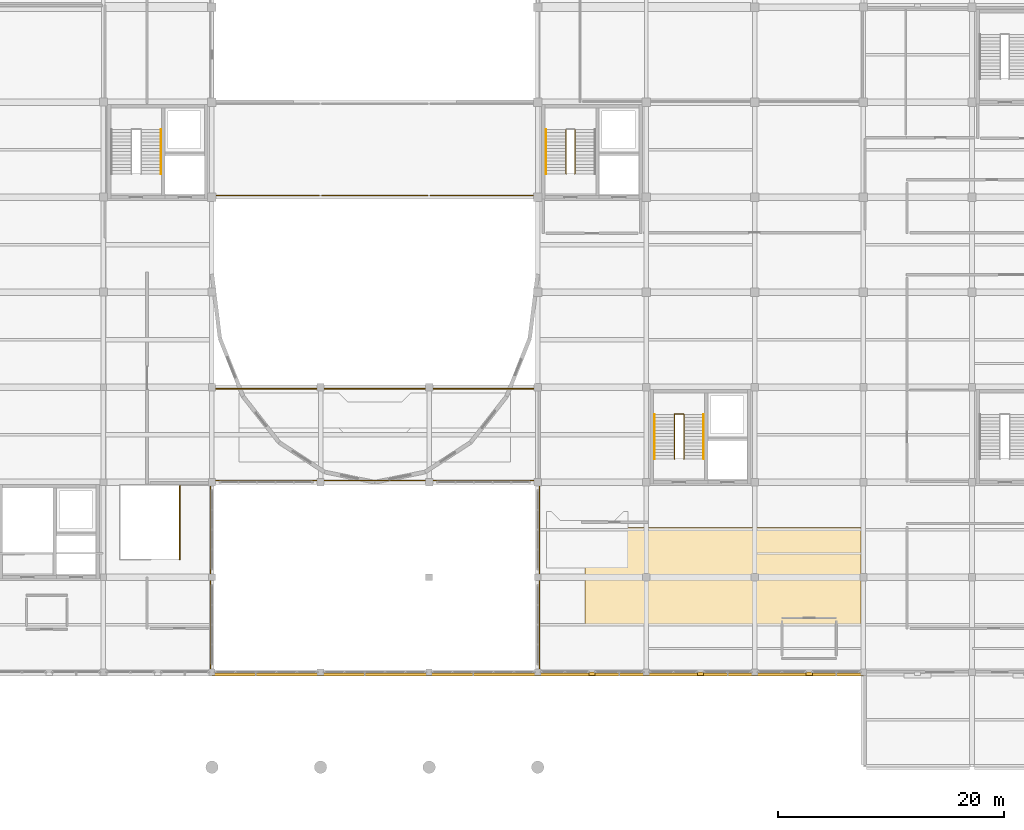
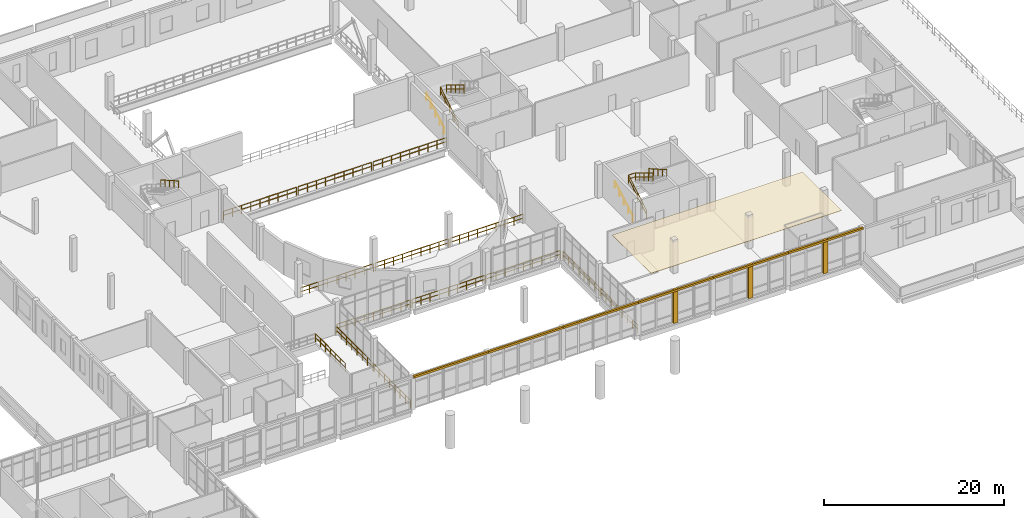
# One storey, part 84 of 88: 23 railings, 10 coverings.
"""IFC4 building model written with IfcOpenShell, lengths in metres."""

from ifc_helpers import new_model, si_unit, direction, frame, origin, origin_2d, place, context, subcontext, project, spatial, polyline, circle, outline, extrude, material, layer, layer_set, type_object, element, save


model = new_model("IFC4")

# Units and contexts
model_context = context("Model", 3, precision=1e-05, world=origin(), true_north=direction((0.0, 1.0)))
body_context = subcontext(model_context, "Body", "Model", "MODEL_VIEW")
ifc_project = project(units=[si_unit("LENGTHUNIT", "METRE"), si_unit("AREAUNIT", "SQUARE_METRE"), si_unit("VOLUMEUNIT", "CUBIC_METRE"), si_unit("PLANEANGLEUNIT", "RADIAN"), si_unit("MASSUNIT", "GRAM", prefix="KILO")], contexts=[model_context])

# Site, building, storey
site_placement = place(None, origin())
site = spatial("IfcSite", under=ifc_project, at=site_placement, CompositionType="ELEMENT")
building_placement = place(site_placement, origin())
building = spatial("IfcBuilding", under=site, at=building_placement, Name="Lornevale Opera House", CompositionType="ELEMENT")
storey_placement = place(building_placement, frame((0.0, 0.0, 10.199951171875)))
storey = spatial("IfcBuildingStorey", under=building, at=storey_placement, Name="L03", CompositionType="ELEMENT", Elevation=10.199951171875)

# Railings
ifc_material_1 = material(Name="Structural Steel CSA G40.21 Grade 350W (350 MPa)", Category="steel")
ifc_layer_1 = layer(ifc_material_1, 0.06005859375)
ifc_layer_set_1 = layer_set([ifc_layer_1], Name="Structural Steel CSA G40.21 Grade 350W (350 MPa)")
railing_type_1 = type_object("IfcRailingType", Name="Atrium Acoustic Balustrade 1120", PredefinedType="BALUSTRADE", material=ifc_layer_set_1)
railing_1_placement = place(storey_placement, frame((64.35009765625, 26.75, 0.0)))
element("IfcRailing", 1, at=railing_1_placement, inside=storey, type_object=railing_type_1, Name="Feature Stair Well Guard L03", PredefinedType="BALUSTRADE", context=body_context, shape_type="SweptSolid", body=[
    extrude(circle(Radius=0.02392578125, at=origin_2d()), frame((0.0, 0.0, 1.09619140625), z_axis=(0.0, 1.0, 0.0), x_axis=(-1.0, 0.0, 0.0)), (0.0, 0.0, 1.0), 6.60009765625),
    extrude(circle(Radius=0.02392578125, at=origin_2d()), frame((0.0, 0.0, 0.56005859375), z_axis=(0.0, 1.0, 0.0), x_axis=(-1.0, 0.0, 0.0)), (0.0, 0.0, 1.0), 6.60009765625),
    extrude(circle(Radius=0.02099609375, at=origin_2d()), origin(), (0.0, 0.0, 1.0), 1.072021484375),
    extrude(circle(Radius=0.02099609375, at=origin_2d()), frame((0.0, 1.10009765625, 0.0)), (0.0, 0.0, 1.0), 1.072021484375),
    extrude(circle(Radius=0.02099609375, at=origin_2d()), frame((0.0, 2.199951171875, 0.0)), (0.0, 0.0, 1.0), 1.072021484375),
    extrude(circle(Radius=0.02099609375, at=origin_2d()), frame((0.0, 3.300048828125, 0.0)), (0.0, 0.0, 1.0), 1.072021484375),
    extrude(circle(Radius=0.02099609375, at=origin_2d()), frame((0.0, 4.400146484375, 0.0)), (0.0, 0.0, 1.0), 1.072021484375),
    extrude(circle(Radius=0.02099609375, at=origin_2d()), frame((0.0, 5.5, 0.0)), (0.0, 0.0, 1.0), 1.072021484375),
    extrude(circle(Radius=0.02099609375, at=origin_2d()), frame((0.0, 6.60009765625, 0.0)), (0.0, 0.0, 1.0), 1.072021484375),
])
railing_2_placement = place(storey_placement, frame((67.06005859375, 16.919921875, 0.0)))
element("IfcRailing", 2, at=railing_2_placement, inside=storey, type_object=railing_type_1, Name="Atrium & Bowl Balustrade L03 0348", PredefinedType="BALUSTRADE", context=body_context, shape_type="SweptSolid", body=[
    extrude(circle(Radius=0.02392578125, at=origin_2d()), frame((0.0, 0.0, 1.09619140625), z_axis=(0.0, 1.0, 0.0), x_axis=(-1.0, 0.0, 0.0)), (0.0, 0.0, 1.0), 8.16015625),
    extrude(circle(Radius=0.02392578125, at=origin_2d()), frame((0.0, 0.0, 0.56005859375), z_axis=(0.0, 1.0, 0.0), x_axis=(-1.0, 0.0, 0.0)), (0.0, 0.0, 1.0), 8.16015625),
    extrude(circle(Radius=0.02099609375, at=origin_2d()), origin(), (0.0, 0.0, 1.0), 1.072021484375),
    extrude(circle(Radius=0.02099609375, at=origin_2d()), frame((0.0, 1.165771484375, 0.0)), (0.0, 0.0, 1.0), 1.072021484375),
    extrude(circle(Radius=0.02099609375, at=origin_2d()), frame((0.0, 2.33154296875, 0.0)), (0.0, 0.0, 1.0), 1.072021484375),
    extrude(circle(Radius=0.02099609375, at=origin_2d()), frame((0.0, 3.497314453125, 0.0)), (0.0, 0.0, 1.0), 1.072021484375),
    extrude(circle(Radius=0.02099609375, at=origin_2d()), frame((0.0, 4.662841796875, 0.0)), (0.0, 0.0, 1.0), 1.072021484375),
    extrude(circle(Radius=0.02099609375, at=origin_2d()), frame((0.0, 5.82861328125, 0.0)), (0.0, 0.0, 1.0), 1.072021484375),
    extrude(circle(Radius=0.02099609375, at=origin_2d()), frame((0.0, 6.994384765625, 0.0)), (0.0, 0.0, 1.0), 1.072021484375),
    extrude(circle(Radius=0.02099609375, at=origin_2d()), frame((0.0, 8.16015625, 0.0)), (0.0, 0.0, 1.0), 1.072021484375),
])
railing_3_placement = place(storey_placement, frame((67.06005859375, 25.320068359375, 0.0)))
element("IfcRailing", 3, at=railing_3_placement, inside=storey, type_object=railing_type_1, Name="Atrium & Bowl Balustrade L03 0349", PredefinedType="BALUSTRADE", context=body_context, shape_type="SweptSolid", body=[
    extrude(circle(Radius=0.02392578125, at=origin_2d()), frame((0.0, 0.0, 1.09619140625), z_axis=(0.0, 1.0, 0.0), x_axis=(-1.0, 0.0, 0.0)), (0.0, 0.0, 1.0), 8.159912109375),
    extrude(circle(Radius=0.02392578125, at=origin_2d()), frame((0.0, 0.0, 0.56005859375), z_axis=(0.0, 1.0, 0.0), x_axis=(-1.0, 0.0, 0.0)), (0.0, 0.0, 1.0), 8.159912109375),
    extrude(circle(Radius=0.02099609375, at=origin_2d()), origin(), (0.0, 0.0, 1.0), 1.072021484375),
    extrude(circle(Radius=0.02099609375, at=origin_2d()), frame((0.0, 1.165771484375, 0.0)), (0.0, 0.0, 1.0), 1.072021484375),
    extrude(circle(Radius=0.02099609375, at=origin_2d()), frame((0.0, 2.331298828125, 0.0)), (0.0, 0.0, 1.0), 1.072021484375),
    extrude(circle(Radius=0.02099609375, at=origin_2d()), frame((0.0, 3.4970703125, 0.0)), (0.0, 0.0, 1.0), 1.072021484375),
    extrude(circle(Radius=0.02099609375, at=origin_2d()), frame((0.0, 4.662841796875, 0.0)), (0.0, 0.0, 1.0), 1.072021484375),
    extrude(circle(Radius=0.02099609375, at=origin_2d()), frame((0.0, 5.82861328125, 0.0)), (0.0, 0.0, 1.0), 1.072021484375),
    extrude(circle(Radius=0.02099609375, at=origin_2d()), frame((0.0, 6.994140625, 0.0)), (0.0, 0.0, 1.0), 1.072021484375),
    extrude(circle(Radius=0.02099609375, at=origin_2d()), frame((0.0, 8.159912109375, 0.0)), (0.0, 0.0, 1.0), 1.072021484375),
])
for number, where, name in (
    (4, (67.320068359375, 33.739990234375, 0.0), "Atrium & Bowl Balustrade L03 0352"),
    (5, (67.320068359375, 41.860107421875, 0.0), "Atrium & Bowl Balustrade L03 0353"),
    (6, (67.320068359375, 58.93994140625, 0.0), "Atrium & Bowl Balustrade L03 0354"),
):
    element("IfcRailing", number, at=place(storey_placement, frame(where)), inside=storey, type_object=railing_type_1, Name=name, PredefinedType="BALUSTRADE", context=body_context, shape_type="SweptSolid", body=[
        extrude(circle(Radius=0.02392578125, at=origin_2d()), frame((0.0, 0.0, 1.09619140625), z_axis=(1.0, 0.0, 0.0), x_axis=(0.0, 1.0, 0.0)), (0.0, 0.0, 1.0), 9.35986328125),
        extrude(circle(Radius=0.02392578125, at=origin_2d()), frame((0.0, 0.0, 0.56005859375), z_axis=(1.0, 0.0, 0.0), x_axis=(0.0, 1.0, 0.0)), (0.0, 0.0, 1.0), 9.35986328125),
        extrude(circle(Radius=0.02099609375, at=origin_2d()), origin(), (0.0, 0.0, 1.0), 1.072021484375),
        extrude(circle(Radius=0.02099609375, at=origin_2d()), frame((1.169921875, 0.0, 0.0)), (0.0, 0.0, 1.0), 1.072021484375),
        extrude(circle(Radius=0.02099609375, at=origin_2d()), frame((2.33984375, 0.0, 0.0)), (0.0, 0.0, 1.0), 1.072021484375),
        extrude(circle(Radius=0.02099609375, at=origin_2d()), frame((3.510009765625, 0.0, 0.0)), (0.0, 0.0, 1.0), 1.072021484375),
        extrude(circle(Radius=0.02099609375, at=origin_2d()), frame((4.679931640625, 0.0, 0.0)), (0.0, 0.0, 1.0), 1.072021484375),
        extrude(circle(Radius=0.02099609375, at=origin_2d()), frame((5.849853515625, 0.0, 0.0)), (0.0, 0.0, 1.0), 1.072021484375),
        extrude(circle(Radius=0.02099609375, at=origin_2d()), frame((7.02001953125, 0.0, 0.0)), (0.0, 0.0, 1.0), 1.072021484375),
        extrude(circle(Radius=0.02099609375, at=origin_2d()), frame((8.18994140625, 0.0, 0.0)), (0.0, 0.0, 1.0), 1.072021484375),
        extrude(circle(Radius=0.02099609375, at=origin_2d()), frame((9.35986328125, 0.0, 0.0)), (0.0, 0.0, 1.0), 1.072021484375),
    ])
for number, where, name in (
    (7, (76.919921875, 33.739990234375, 0.0), "Atrium & Bowl Balustrade L03 0357"),
    (8, (76.919921875, 41.860107421875, 0.0), "Atrium & Bowl Balustrade L03 0358"),
    (9, (76.919921875, 58.93994140625, 0.0), "Atrium & Bowl Balustrade L03 0359"),
):
    element("IfcRailing", number, at=place(storey_placement, frame(where)), inside=storey, type_object=railing_type_1, Name=name, PredefinedType="BALUSTRADE", context=body_context, shape_type="SweptSolid", body=[
        extrude(circle(Radius=0.02392578125, at=origin_2d()), frame((0.0, 0.0, 1.09619140625), z_axis=(1.0, 0.0, 0.0), x_axis=(0.0, 1.0, 0.0)), (0.0, 0.0, 1.0), 9.360107421875),
        extrude(circle(Radius=0.02392578125, at=origin_2d()), frame((0.0, 0.0, 0.56005859375), z_axis=(1.0, 0.0, 0.0), x_axis=(0.0, 1.0, 0.0)), (0.0, 0.0, 1.0), 9.360107421875),
        extrude(circle(Radius=0.02099609375, at=origin_2d()), origin(), (0.0, 0.0, 1.0), 1.072021484375),
        extrude(circle(Radius=0.02099609375, at=origin_2d()), frame((1.169921875, 0.0, 0.0)), (0.0, 0.0, 1.0), 1.072021484375),
        extrude(circle(Radius=0.02099609375, at=origin_2d()), frame((2.340087890625, 0.0, 0.0)), (0.0, 0.0, 1.0), 1.072021484375),
        extrude(circle(Radius=0.02099609375, at=origin_2d()), frame((3.510009765625, 0.0, 0.0)), (0.0, 0.0, 1.0), 1.072021484375),
        extrude(circle(Radius=0.02099609375, at=origin_2d()), frame((4.68017578125, 0.0, 0.0)), (0.0, 0.0, 1.0), 1.072021484375),
        extrude(circle(Radius=0.02099609375, at=origin_2d()), frame((5.85009765625, 0.0, 0.0)), (0.0, 0.0, 1.0), 1.072021484375),
        extrude(circle(Radius=0.02099609375, at=origin_2d()), frame((7.02001953125, 0.0, 0.0)), (0.0, 0.0, 1.0), 1.072021484375),
        extrude(circle(Radius=0.02099609375, at=origin_2d()), frame((8.190185546875, 0.0, 0.0)), (0.0, 0.0, 1.0), 1.072021484375),
        extrude(circle(Radius=0.02099609375, at=origin_2d()), frame((9.360107421875, 0.0, 0.0)), (0.0, 0.0, 1.0), 1.072021484375),
    ])
for number, where, name in (
    (10, (86.52001953125, 33.739990234375, 0.0), "Atrium & Bowl Balustrade L03 0362"),
    (11, (86.52001953125, 41.860107421875, 0.0), "Atrium & Bowl Balustrade L03 0363"),
    (12, (86.52001953125, 58.93994140625, 0.0), "Atrium & Bowl Balustrade L03 0364"),
):
    element("IfcRailing", number, at=place(storey_placement, frame(where)), inside=storey, type_object=railing_type_1, Name=name, PredefinedType="BALUSTRADE", context=body_context, shape_type="SweptSolid", body=[
        extrude(circle(Radius=0.02392578125, at=origin_2d()), frame((0.0, 0.0, 1.09619140625), z_axis=(1.0, 0.0, 0.0), x_axis=(0.0, 1.0, 0.0)), (0.0, 0.0, 1.0), 9.35986328125),
        extrude(circle(Radius=0.02392578125, at=origin_2d()), frame((0.0, 0.0, 0.56005859375), z_axis=(1.0, 0.0, 0.0), x_axis=(0.0, 1.0, 0.0)), (0.0, 0.0, 1.0), 9.35986328125),
        extrude(circle(Radius=0.02099609375, at=origin_2d()), origin(), (0.0, 0.0, 1.0), 1.072021484375),
        extrude(circle(Radius=0.02099609375, at=origin_2d()), frame((1.169921875, 0.0, 0.0)), (0.0, 0.0, 1.0), 1.072021484375),
        extrude(circle(Radius=0.02099609375, at=origin_2d()), frame((2.33984375, 0.0, 0.0)), (0.0, 0.0, 1.0), 1.072021484375),
        extrude(circle(Radius=0.02099609375, at=origin_2d()), frame((3.510009765625, 0.0, 0.0)), (0.0, 0.0, 1.0), 1.072021484375),
        extrude(circle(Radius=0.02099609375, at=origin_2d()), frame((4.679931640625, 0.0, 0.0)), (0.0, 0.0, 1.0), 1.072021484375),
        extrude(circle(Radius=0.02099609375, at=origin_2d()), frame((5.849853515625, 0.0, 0.0)), (0.0, 0.0, 1.0), 1.072021484375),
        extrude(circle(Radius=0.02099609375, at=origin_2d()), frame((7.02001953125, 0.0, 0.0)), (0.0, 0.0, 1.0), 1.072021484375),
        extrude(circle(Radius=0.02099609375, at=origin_2d()), frame((8.18994140625, 0.0, 0.0)), (0.0, 0.0, 1.0), 1.072021484375),
        extrude(circle(Radius=0.02099609375, at=origin_2d()), frame((9.35986328125, 0.0, 0.0)), (0.0, 0.0, 1.0), 1.072021484375),
    ])
railing_4_placement = place(storey_placement, frame((96.139892578125, 16.919921875, 0.0)))
element("IfcRailing", 13, at=railing_4_placement, inside=storey, type_object=railing_type_1, Name="Atrium & Bowl Balustrade L03 0367", PredefinedType="BALUSTRADE", context=body_context, shape_type="SweptSolid", body=[
    extrude(circle(Radius=0.02392578125, at=origin_2d()), frame((0.0, 0.0, 1.09619140625), z_axis=(0.0, 1.0, 0.0), x_axis=(-1.0, 0.0, 0.0)), (0.0, 0.0, 1.0), 8.16015625),
    extrude(circle(Radius=0.02392578125, at=origin_2d()), frame((0.0, 0.0, 0.56005859375), z_axis=(0.0, 1.0, 0.0), x_axis=(-1.0, 0.0, 0.0)), (0.0, 0.0, 1.0), 8.16015625),
    extrude(circle(Radius=0.02099609375, at=origin_2d()), origin(), (0.0, 0.0, 1.0), 1.072021484375),
    extrude(circle(Radius=0.02099609375, at=origin_2d()), frame((0.0, 1.165771484375, 0.0)), (0.0, 0.0, 1.0), 1.072021484375),
    extrude(circle(Radius=0.02099609375, at=origin_2d()), frame((0.0, 2.33154296875, 0.0)), (0.0, 0.0, 1.0), 1.072021484375),
    extrude(circle(Radius=0.02099609375, at=origin_2d()), frame((0.0, 3.497314453125, 0.0)), (0.0, 0.0, 1.0), 1.072021484375),
    extrude(circle(Radius=0.02099609375, at=origin_2d()), frame((0.0, 4.662841796875, 0.0)), (0.0, 0.0, 1.0), 1.072021484375),
    extrude(circle(Radius=0.02099609375, at=origin_2d()), frame((0.0, 5.82861328125, 0.0)), (0.0, 0.0, 1.0), 1.072021484375),
    extrude(circle(Radius=0.02099609375, at=origin_2d()), frame((0.0, 6.994384765625, 0.0)), (0.0, 0.0, 1.0), 1.072021484375),
    extrude(circle(Radius=0.02099609375, at=origin_2d()), frame((0.0, 8.16015625, 0.0)), (0.0, 0.0, 1.0), 1.072021484375),
])
railing_5_placement = place(storey_placement, frame((96.139892578125, 25.320068359375, 0.0)))
element("IfcRailing", 14, at=railing_5_placement, inside=storey, type_object=railing_type_1, Name="Atrium & Bowl Balustrade L03 0368", PredefinedType="BALUSTRADE", context=body_context, shape_type="SweptSolid", body=[
    extrude(circle(Radius=0.02392578125, at=origin_2d()), frame((0.0, 0.0, 1.09619140625), z_axis=(0.0, 1.0, 0.0), x_axis=(-1.0, 0.0, 0.0)), (0.0, 0.0, 1.0), 8.159912109375),
    extrude(circle(Radius=0.02392578125, at=origin_2d()), frame((0.0, 0.0, 0.56005859375), z_axis=(0.0, 1.0, 0.0), x_axis=(-1.0, 0.0, 0.0)), (0.0, 0.0, 1.0), 8.159912109375),
    extrude(circle(Radius=0.02099609375, at=origin_2d()), origin(), (0.0, 0.0, 1.0), 1.072021484375),
    extrude(circle(Radius=0.02099609375, at=origin_2d()), frame((0.0, 1.165771484375, 0.0)), (0.0, 0.0, 1.0), 1.072021484375),
    extrude(circle(Radius=0.02099609375, at=origin_2d()), frame((0.0, 2.331298828125, 0.0)), (0.0, 0.0, 1.0), 1.072021484375),
    extrude(circle(Radius=0.02099609375, at=origin_2d()), frame((0.0, 3.4970703125, 0.0)), (0.0, 0.0, 1.0), 1.072021484375),
    extrude(circle(Radius=0.02099609375, at=origin_2d()), frame((0.0, 4.662841796875, 0.0)), (0.0, 0.0, 1.0), 1.072021484375),
    extrude(circle(Radius=0.02099609375, at=origin_2d()), frame((0.0, 5.82861328125, 0.0)), (0.0, 0.0, 1.0), 1.072021484375),
    extrude(circle(Radius=0.02099609375, at=origin_2d()), frame((0.0, 6.994140625, 0.0)), (0.0, 0.0, 1.0), 1.072021484375),
    extrude(circle(Radius=0.02099609375, at=origin_2d()), frame((0.0, 8.159912109375, 0.0)), (0.0, 0.0, 1.0), 1.072021484375),
])

# Coverings
ifc_material_2 = material(Name="Precast Concrete 40 MPa (CSA A23.1 C-1)", Category="concrete")
ifc_layer_2 = layer(ifc_material_2, 0.260009765625)
ifc_layer_set_2 = layer_set([ifc_layer_2], Name="Precast Concrete 40 MPa (CSA A23.1 C-1)")
covering_type_1 = type_object("IfcCoveringType", Name="Postmodern Sandstone Pilaster Rib", PredefinedType="CLADDING", material=ifc_layer_set_2)
covering_1_placement = place(storey_placement, origin())
element("IfcCovering", 15, at=covering_1_placement, inside=storey, type_object=covering_type_1, Name="Postmodern Sandstone Mullion Pier 0332", PredefinedType="CLADDING", context=body_context, shape_type="SweptSolid", body=[
    extrude(outline(polyline([(101.080078125, 16.800048828125), (100.52001953125, 16.800048828125), (100.52001953125, 16.52001953125), (101.080078125, 16.52001953125), (101.080078125, 16.800048828125)])), origin(), (0.0, 0.0, 1.0), 4.5400390625),
])
covering_2_placement = place(storey_placement, origin())
element("IfcCovering", 16, at=covering_2_placement, inside=storey, type_object=covering_type_1, Name="Postmodern Sandstone Mullion Pier 0336", PredefinedType="CLADDING", context=body_context, shape_type="SweptSolid", body=[
    extrude(outline(polyline([(110.679931640625, 16.800048828125), (110.1201171875, 16.800048828125), (110.1201171875, 16.52001953125), (110.679931640625, 16.52001953125), (110.679931640625, 16.800048828125)])), origin(), (0.0, 0.0, 1.0), 4.5400390625),
])
covering_3_placement = place(storey_placement, origin())
element("IfcCovering", 17, at=covering_3_placement, inside=storey, type_object=covering_type_1, Name="Postmodern Sandstone Mullion Pier 0340", PredefinedType="CLADDING", context=body_context, shape_type="SweptSolid", body=[
    extrude(outline(polyline([(120.280029296875, 16.800048828125), (119.719970703125, 16.800048828125), (119.719970703125, 16.52001953125), (120.280029296875, 16.52001953125), (120.280029296875, 16.800048828125)])), origin(), (0.0, 0.0, 1.0), 4.5400390625),
])
ifc_material_3 = material(Name="Queenston Buff Limestone Ashlar Masonry (25 MPa)", Category="masonry")
ifc_layer_3 = layer(ifc_material_3, 0.1201171875)
ifc_layer_set_3 = layer_set([ifc_layer_3], Name="Queenston Buff Limestone Ashlar Masonry (25 MPa)")
covering_type_2 = type_object("IfcCoveringType", Name="Precast Limestone Cornice Band", PredefinedType="CLADDING", material=ifc_layer_set_3)
covering_4_placement = place(storey_placement, frame((0.0, 0.0, 4.280029296875)))
element("IfcCovering", 18, at=covering_4_placement, inside=storey, type_object=covering_type_2, Name="Precast Limestone Cornice Band 0323", PredefinedType="CLADDING", context=body_context, shape_type="SweptSolid", body=[
    extrude(outline(polyline([(76.800048828125, 16.719970703125), (67.199951171875, 16.719970703125), (67.199951171875, 16.47998046875), (76.800048828125, 16.47998046875), (76.800048828125, 16.719970703125)])), origin(), (0.0, 0.0, 1.0), 0.260009765625),
])
covering_5_placement = place(storey_placement, frame((0.0, 0.0, 4.280029296875)))
element("IfcCovering", 19, at=covering_5_placement, inside=storey, type_object=covering_type_2, Name="Precast Limestone Cornice Band 0326", PredefinedType="CLADDING", context=body_context, shape_type="SweptSolid", body=[
    extrude(outline(polyline([(86.39990234375, 16.719970703125), (76.800048828125, 16.719970703125), (76.800048828125, 16.47998046875), (86.39990234375, 16.47998046875), (86.39990234375, 16.719970703125)])), origin(), (0.0, 0.0, 1.0), 0.260009765625),
])
covering_6_placement = place(storey_placement, frame((0.0, 0.0, 4.280029296875)))
element("IfcCovering", 20, at=covering_6_placement, inside=storey, type_object=covering_type_2, Name="Precast Limestone Cornice Band 0329", PredefinedType="CLADDING", context=body_context, shape_type="SweptSolid", body=[
    extrude(outline(polyline([(96.0, 16.719970703125), (86.39990234375, 16.719970703125), (86.39990234375, 16.47998046875), (96.0, 16.47998046875), (96.0, 16.719970703125)])), origin(), (0.0, 0.0, 1.0), 0.260009765625),
])
covering_7_placement = place(storey_placement, frame((0.0, 0.0, 4.280029296875)))
element("IfcCovering", 21, at=covering_7_placement, inside=storey, type_object=covering_type_2, Name="Precast Limestone Cornice Band 0333", PredefinedType="CLADDING", context=body_context, shape_type="SweptSolid", body=[
    extrude(outline(polyline([(105.60009765625, 16.719970703125), (96.0, 16.719970703125), (96.0, 16.47998046875), (105.60009765625, 16.47998046875), (105.60009765625, 16.719970703125)])), origin(), (0.0, 0.0, 1.0), 0.260009765625),
])
covering_8_placement = place(storey_placement, frame((0.0, 0.0, 4.280029296875)))
element("IfcCovering", 22, at=covering_8_placement, inside=storey, type_object=covering_type_2, Name="Precast Limestone Cornice Band 0337", PredefinedType="CLADDING", context=body_context, shape_type="SweptSolid", body=[
    extrude(outline(polyline([(115.199951171875, 16.719970703125), (105.60009765625, 16.719970703125), (105.60009765625, 16.47998046875), (115.199951171875, 16.47998046875), (115.199951171875, 16.719970703125)])), origin(), (0.0, 0.0, 1.0), 0.260009765625),
])
covering_9_placement = place(storey_placement, frame((0.0, 0.0, 4.280029296875)))
element("IfcCovering", 23, at=covering_9_placement, inside=storey, type_object=covering_type_2, Name="Precast Limestone Cornice Band 0341", PredefinedType="CLADDING", context=body_context, shape_type="SweptSolid", body=[
    extrude(outline(polyline([(124.800048828125, 16.719970703125), (115.199951171875, 16.719970703125), (115.199951171875, 16.47998046875), (124.800048828125, 16.47998046875), (124.800048828125, 16.719970703125)])), origin(), (0.0, 0.0, 1.0), 0.260009765625),
])

# Railings
ifc_layer_4 = layer(ifc_material_1, 0.050048828125)
ifc_layer_set_4 = layer_set([ifc_layer_4], Name="Structural Steel CSA G40.21 Grade 350W (350 MPa)")
railing_type_2 = type_object("IfcRailingType", Name="Stair Well Guardrail 1100", PredefinedType="GUARDRAIL", material=ifc_layer_set_4)
railing_6_placement = place(storey_placement, frame((108.080078125, 35.659912109375, 0.0)))
element("IfcRailing", 24, at=railing_6_placement, inside=storey, type_object=railing_type_2, Name="ST-08 Inner Well Guard F1", PredefinedType="GUARDRAIL", context=body_context, shape_type="SweptSolid", body=[
    extrude(circle(Radius=0.02392578125, at=origin_2d()), frame((0.0, 0.0, 1.076171875), z_axis=(0.0, 0.852846959695, 0.522160955394), x_axis=(-1.0, 0.0, 0.0)), (0.0, 0.0, 1.0), 4.5966796875),
    extrude(circle(Radius=0.02392578125, at=origin_2d()), frame((0.0, 0.0, 0.550048828125), z_axis=(0.0, 0.852846959695, 0.522160955394), x_axis=(-1.0, 0.0, 0.0)), (0.0, 0.0, 1.0), 4.5966796875),
    extrude(circle(Radius=0.02099609375, at=origin_2d()), origin(), (0.0, 0.0, 1.0), 1.052001953125),
    extrude(circle(Radius=0.02099609375, at=origin_2d()), frame((0.0, 0.97998046875, 0.60009765625)), (0.0, 0.0, 1.0), 1.052001953125),
    extrude(circle(Radius=0.02099609375, at=origin_2d()), frame((0.0, 1.9599609375, 1.2001953125)), (0.0, 0.0, 1.0), 1.052001953125),
    extrude(circle(Radius=0.02099609375, at=origin_2d()), frame((0.0, 2.940185546875, 1.800048828125)), (0.0, 0.0, 1.0), 1.052001953125),
    extrude(circle(Radius=0.02099609375, at=origin_2d()), frame((0.0, 3.920166015625, 2.400146484375)), (0.0, 0.0, 1.0), 1.052001953125),
])
railing_7_placement = place(storey_placement, frame((108.919921875, 39.580078125, 2.400146484375)))
element("IfcRailing", 25, at=railing_7_placement, inside=storey, type_object=railing_type_2, Name="ST-08 Inner Well Guard F2", PredefinedType="GUARDRAIL", context=body_context, shape_type="SweptSolid", body=[
    extrude(circle(Radius=0.02392578125, at=origin_2d()), frame((0.0, 0.0, 1.076171875), z_axis=(0.0, -0.852870612257, 0.522122321634), x_axis=(1.0, 0.0, 0.0)), (0.0, 0.0, 1.0), 4.596435546875),
    extrude(circle(Radius=0.02392578125, at=origin_2d()), frame((0.0, 0.0, 0.550048828125), z_axis=(0.0, -0.852870612257, 0.522122321634), x_axis=(1.0, 0.0, 0.0)), (0.0, 0.0, 1.0), 4.596435546875),
    extrude(circle(Radius=0.02099609375, at=origin_2d()), origin(), (0.0, 0.0, 1.0), 1.052001953125),
    extrude(circle(Radius=0.02099609375, at=origin_2d()), frame((0.0, -0.97998046875, 0.60009765625)), (0.0, 0.0, 1.0), 1.052001953125),
    extrude(circle(Radius=0.02099609375, at=origin_2d()), frame((0.0, -1.9599609375, 1.199951171875)), (0.0, 0.0, 1.0), 1.052001953125),
    extrude(circle(Radius=0.02099609375, at=origin_2d()), frame((0.0, -2.940185546875, 1.7998046875)), (0.0, 0.0, 1.0), 1.052001953125),
    extrude(circle(Radius=0.02099609375, at=origin_2d()), frame((0.0, -3.920166015625, 2.39990234375)), (0.0, 0.0, 1.0), 1.052001953125),
])
railing_8_placement = place(storey_placement, frame((108.080078125, 39.610107421875, 2.400146484375)))
element("IfcRailing", 26, at=railing_8_placement, inside=storey, type_object=railing_type_2, Name="ST-08 Half-Landing Slot Guard", PredefinedType="GUARDRAIL", context=body_context, shape_type="SweptSolid", body=[
    extrude(circle(Radius=0.02392578125, at=origin_2d()), frame((0.0, 0.0, 1.076171875), z_axis=(1.0, 0.0, 0.0), x_axis=(0.0, 1.0, 0.0)), (0.0, 0.0, 1.0), 0.83984375),
    extrude(circle(Radius=0.02392578125, at=origin_2d()), frame((0.0, 0.0, 0.550048828125), z_axis=(1.0, 0.0, 0.0), x_axis=(0.0, 1.0, 0.0)), (0.0, 0.0, 1.0), 0.83984375),
    extrude(circle(Radius=0.02099609375, at=origin_2d()), origin(), (0.0, 0.0, 1.0), 1.052001953125),
    extrude(circle(Radius=0.02099609375, at=origin_2d()), frame((0.83984375, 0.0, 0.0)), (0.0, 0.0, 1.0), 1.052001953125),
])
railing_9_placement = place(storey_placement, frame((98.52001953125, 60.860107421875, 0.0)))
element("IfcRailing", 27, at=railing_9_placement, inside=storey, type_object=railing_type_2, Name="ST-24 Inner Well Guard F1", PredefinedType="GUARDRAIL", context=body_context, shape_type="SweptSolid", body=[
    extrude(circle(Radius=0.02392578125, at=origin_2d()), frame((0.0, 0.0, 1.076171875), z_axis=(0.0, 0.852832477147, 0.522184609045), x_axis=(-1.0, 0.0, 0.0)), (0.0, 0.0, 1.0), 4.596435546875),
    extrude(circle(Radius=0.02392578125, at=origin_2d()), frame((0.0, 0.0, 0.550048828125), z_axis=(0.0, 0.852832477147, 0.522184609045), x_axis=(-1.0, 0.0, 0.0)), (0.0, 0.0, 1.0), 4.596435546875),
    extrude(circle(Radius=0.02099609375, at=origin_2d()), origin(), (0.0, 0.0, 1.0), 1.052001953125),
    extrude(circle(Radius=0.02099609375, at=origin_2d()), frame((0.0, 0.97998046875, 0.60009765625)), (0.0, 0.0, 1.0), 1.052001953125),
    extrude(circle(Radius=0.02099609375, at=origin_2d()), frame((0.0, 1.9599609375, 1.2001953125)), (0.0, 0.0, 1.0), 1.052001953125),
    extrude(circle(Radius=0.02099609375, at=origin_2d()), frame((0.0, 2.93994140625, 1.800048828125)), (0.0, 0.0, 1.0), 1.052001953125),
    extrude(circle(Radius=0.02099609375, at=origin_2d()), frame((0.0, 3.919921875, 2.400146484375)), (0.0, 0.0, 1.0), 1.052001953125),
])
railing_10_placement = place(storey_placement, frame((99.280029296875, 64.780029296875, 2.400146484375)))
element("IfcRailing", 28, at=railing_10_placement, inside=storey, type_object=railing_type_2, Name="ST-24 Inner Well Guard F2", PredefinedType="GUARDRAIL", context=body_context, shape_type="SweptSolid", body=[
    extrude(circle(Radius=0.02392578125, at=origin_2d()), frame((0.0, 0.0, 1.076171875), z_axis=(0.0, -0.852856131449, 0.522145974847), x_axis=(1.0, 0.0, 0.0)), (0.0, 0.0, 1.0), 4.59619140625),
    extrude(circle(Radius=0.02392578125, at=origin_2d()), frame((0.0, 0.0, 0.550048828125), z_axis=(0.0, -0.852856131449, 0.522145974847), x_axis=(1.0, 0.0, 0.0)), (0.0, 0.0, 1.0), 4.59619140625),
    extrude(circle(Radius=0.02099609375, at=origin_2d()), origin(), (0.0, 0.0, 1.0), 1.052001953125),
    extrude(circle(Radius=0.02099609375, at=origin_2d()), frame((0.0, -0.97998046875, 0.60009765625)), (0.0, 0.0, 1.0), 1.052001953125),
    extrude(circle(Radius=0.02099609375, at=origin_2d()), frame((0.0, -1.9599609375, 1.199951171875)), (0.0, 0.0, 1.0), 1.052001953125),
    extrude(circle(Radius=0.02099609375, at=origin_2d()), frame((0.0, -2.93994140625, 1.7998046875)), (0.0, 0.0, 1.0), 1.052001953125),
    extrude(circle(Radius=0.02099609375, at=origin_2d()), frame((0.0, -3.919921875, 2.39990234375)), (0.0, 0.0, 1.0), 1.052001953125),
])
ifc_layer_5 = layer(ifc_material_1, 0.048095703125)
ifc_layer_set_5 = layer_set([ifc_layer_5], Name="Structural Steel CSA G40.21 Grade 350W (350 MPa)")
railing_type_3 = type_object("IfcRailingType", Name="Tubular Stair Handrail 915", PredefinedType="HANDRAIL", material=ifc_layer_set_5)
railing_11_placement = place(storey_placement, frame((106.320068359375, 35.659912109375, 0.1630859375)))
element("IfcRailing", 29, at=railing_11_placement, inside=storey, type_object=railing_type_3, Name="ST-08 Outer Handrail F1", PredefinedType="HANDRAIL", context=body_context, shape_type="SweptSolid", body=[
    extrude(circle(Radius=0.02392578125, at=origin_2d()), frame((0.0, 0.0, 0.89111328125), z_axis=(0.0, 0.86825312469, 0.496121468458), x_axis=(-1.0, 0.0, 0.0)), (0.0, 0.0, 1.0), 4.514892578125),
    extrude(circle(Radius=0.02099609375, at=origin_2d()), origin(), (0.0, 0.0, 1.0), 0.866943359375),
    extrude(circle(Radius=0.02099609375, at=origin_2d()), frame((0.0, 0.97998046875, 0.56005859375)), (0.0, 0.0, 1.0), 0.866943359375),
    extrude(circle(Radius=0.02099609375, at=origin_2d()), frame((0.0, 1.9599609375, 1.1201171875)), (0.0, 0.0, 1.0), 0.866943359375),
    extrude(circle(Radius=0.02099609375, at=origin_2d()), frame((0.0, 2.940185546875, 1.679931640625)), (0.0, 0.0, 1.0), 0.866943359375),
    extrude(circle(Radius=0.02099609375, at=origin_2d()), frame((0.0, 3.920166015625, 2.239990234375)), (0.0, 0.0, 1.0), 0.866943359375),
])
railing_12_placement = place(storey_placement, frame((110.679931640625, 39.580078125, 2.56298828125)))
element("IfcRailing", 30, at=railing_12_placement, inside=storey, type_object=railing_type_3, Name="ST-08 Outer Handrail F2", PredefinedType="HANDRAIL", context=body_context, shape_type="SweptSolid", body=[
    extrude(circle(Radius=0.02392578125, at=origin_2d()), frame((0.0, 0.0, 0.89111328125), z_axis=(0.0, -0.86825312469, 0.496121468458), x_axis=(1.0, 0.0, 0.0)), (0.0, 0.0, 1.0), 4.514892578125),
    extrude(circle(Radius=0.02099609375, at=origin_2d()), origin(), (0.0, 0.0, 1.0), 0.866943359375),
    extrude(circle(Radius=0.02099609375, at=origin_2d()), frame((0.0, -0.97998046875, 0.56005859375)), (0.0, 0.0, 1.0), 0.866943359375),
    extrude(circle(Radius=0.02099609375, at=origin_2d()), frame((0.0, -1.9599609375, 1.1201171875)), (0.0, 0.0, 1.0), 0.866943359375),
    extrude(circle(Radius=0.02099609375, at=origin_2d()), frame((0.0, -2.940185546875, 1.679931640625)), (0.0, 0.0, 1.0), 0.866943359375),
    extrude(circle(Radius=0.02099609375, at=origin_2d()), frame((0.0, -3.920166015625, 2.239990234375)), (0.0, 0.0, 1.0), 0.866943359375),
])
railing_13_placement = place(storey_placement, frame((62.679931640625, 64.780029296875, 2.56298828125)))
element("IfcRailing", 31, at=railing_13_placement, inside=storey, type_object=railing_type_3, Name="ST-18 Outer Handrail F2", PredefinedType="HANDRAIL", context=body_context, shape_type="SweptSolid", body=[
    extrude(circle(Radius=0.02392578125, at=origin_2d()), frame((0.0, 0.0, 0.89111328125), z_axis=(0.0, -0.868239814368, 0.496144761885), x_axis=(1.0, 0.0, 0.0)), (0.0, 0.0, 1.0), 4.514892578125),
    extrude(circle(Radius=0.02099609375, at=origin_2d()), origin(), (0.0, 0.0, 1.0), 0.866943359375),
    extrude(circle(Radius=0.02099609375, at=origin_2d()), frame((0.0, -0.97998046875, 0.56005859375)), (0.0, 0.0, 1.0), 0.866943359375),
    extrude(circle(Radius=0.02099609375, at=origin_2d()), frame((0.0, -1.9599609375, 1.1201171875)), (0.0, 0.0, 1.0), 0.866943359375),
    extrude(circle(Radius=0.02099609375, at=origin_2d()), frame((0.0, -2.93994140625, 1.679931640625)), (0.0, 0.0, 1.0), 0.866943359375),
    extrude(circle(Radius=0.02099609375, at=origin_2d()), frame((0.0, -3.919921875, 2.239990234375)), (0.0, 0.0, 1.0), 0.866943359375),
])
railing_14_placement = place(storey_placement, frame((96.719970703125, 60.860107421875, 0.1630859375)))
element("IfcRailing", 32, at=railing_14_placement, inside=storey, type_object=railing_type_3, Name="ST-24 Outer Handrail F1", PredefinedType="HANDRAIL", context=body_context, shape_type="SweptSolid", body=[
    extrude(circle(Radius=0.02392578125, at=origin_2d()), frame((0.0, 0.0, 0.89111328125), z_axis=(0.0, 0.868239814368, 0.496144761885), x_axis=(-1.0, 0.0, 0.0)), (0.0, 0.0, 1.0), 4.514892578125),
    extrude(circle(Radius=0.02099609375, at=origin_2d()), origin(), (0.0, 0.0, 1.0), 0.866943359375),
    extrude(circle(Radius=0.02099609375, at=origin_2d()), frame((0.0, 0.97998046875, 0.56005859375)), (0.0, 0.0, 1.0), 0.866943359375),
    extrude(circle(Radius=0.02099609375, at=origin_2d()), frame((0.0, 1.9599609375, 1.1201171875)), (0.0, 0.0, 1.0), 0.866943359375),
    extrude(circle(Radius=0.02099609375, at=origin_2d()), frame((0.0, 2.93994140625, 1.679931640625)), (0.0, 0.0, 1.0), 0.866943359375),
    extrude(circle(Radius=0.02099609375, at=origin_2d()), frame((0.0, 3.919921875, 2.239990234375)), (0.0, 0.0, 1.0), 0.866943359375),
])

# Covering
ifc_material_4 = material(Name="White Oak Acoustic Panelling", Category="wood")
ifc_layer_6 = layer(ifc_material_4, 0.050048828125)
ifc_layer_set_6 = layer_set([ifc_layer_6], Name="White Oak Acoustic Panelling")
covering_type_3 = type_object("IfcCoveringType", Name="White Oak Acoustic Ceiling Liner", PredefinedType="CEILING", material=ifc_layer_set_6)
covering_10_placement = place(storey_placement, frame((0.0, 0.0, 4.150146484375)))
element("IfcCovering", 33, at=covering_10_placement, inside=storey, type_object=covering_type_3, Name="White Oak Acoustic Ceiling Liner 04", PredefinedType="CEILING", context=body_context, shape_type="SweptSolid", body=[
    extrude(outline(polyline([(100.199951171875, 21.0), (124.60009765625, 21.0), (124.60009765625, 29.60009765625), (100.199951171875, 29.60009765625), (100.199951171875, 21.0)])), origin(), (0.0, 0.0, 1.0), 0.0498046875),
])

save(model, "model.ifc")
